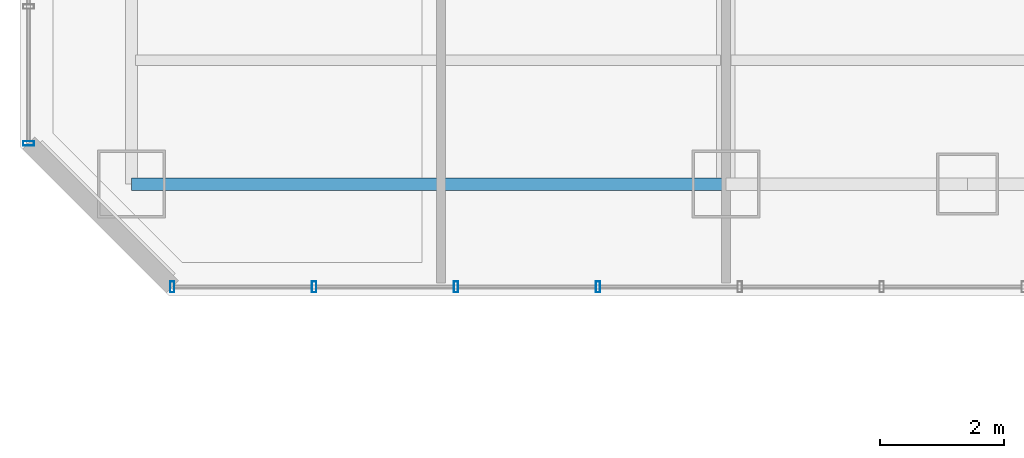
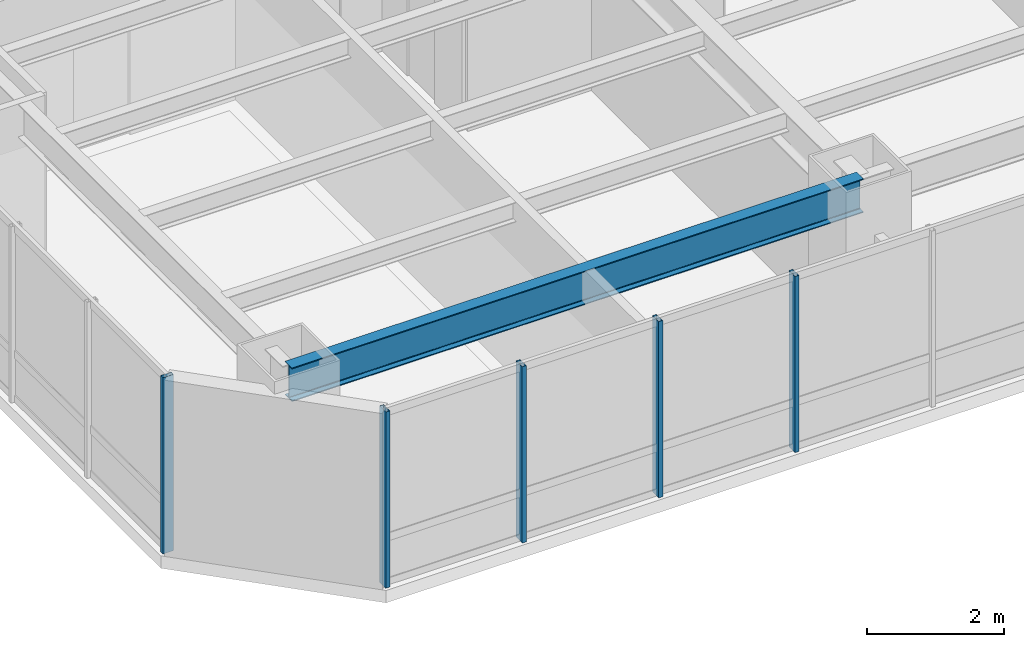
# One storey, part 2 of 38: 5 members, 1 beam, 2 elements without a shape of their own.
"""IFC4 building model written with IfcOpenShell, lengths in metres."""

from ifc_helpers import new_model, si_unit, direction, frame, origin, origin_2d, place, context, subcontext, project, spatial, hollow_rectangle, i_section, extrude, material, layer, layer_set, material_profile, profile_set, type_object, element, aggregate, save


model = new_model("IFC4")

# Units and contexts
model_context = context("Model", 3, precision=1e-05, world=origin(), true_north=direction((0.0, 1.0)))
body_context = subcontext(model_context, "Body", "Model", "MODEL_VIEW")
ifc_project = project(units=[si_unit("LENGTHUNIT", "METRE"), si_unit("AREAUNIT", "SQUARE_METRE"), si_unit("VOLUMEUNIT", "CUBIC_METRE"), si_unit("PLANEANGLEUNIT", "RADIAN"), si_unit("MASSUNIT", "GRAM", prefix="KILO")], contexts=[model_context])

# Site, building, storey
site_placement = place(None, origin())
site = spatial("IfcSite", under=ifc_project, at=site_placement, CompositionType="ELEMENT")
building_placement = place(site_placement, origin())
building = spatial("IfcBuilding", under=site, at=building_placement, Name="Hatsunagi Terrace Concourse", CompositionType="ELEMENT")
storey_placement = place(building_placement, frame((0.0, 0.0, 60.050048828125)))
storey = spatial("IfcBuildingStorey", under=building, at=storey_placement, Name="L15", CompositionType="ELEMENT", Elevation=60.050048828125)

# Curtain wall, members
ifc_material_1 = material(Name="Anodised Aluminium Alloy 6063-T5", Category="aluminium")
ifc_layer = layer(ifc_material_1, 0.199951171875)
ifc_layer_set = layer_set([ifc_layer], Name="HotelFacade_CW02")
curtain_wall_type = type_object("IfcCurtainWallType", Name="HotelFacade_CW02", PredefinedType="NOTDEFINED", material=ifc_layer_set)
curtain_wall_1_placement = place(storey_placement, origin())
curtain_wall_1 = element("IfcCurtainWall", 1, at=curtain_wall_1_placement, inside=storey, type_object=curtain_wall_type, Name="Unitised Curtain Wall CW-02 CW-L15-07", PredefinedType="NOTDEFINED")
ifc_material_2 = material(Name="Anodised Aluminium Alloy 6063-T5", Category="aluminium")
ifc_material_profile_1 = material_profile(ifc_material_2, hollow_rectangle(XDim=0.070068359375, YDim=0.179931640625, WallThickness=0.00390625, at=origin_2d()), Name="ALU-MUL-180x70x4")
ifc_profile_set_1 = profile_set([ifc_material_profile_1], Name="Anodised Aluminium Alloy 6063-T5")
member_type = type_object("IfcMemberType", Name="CurtainWallMullion_180x70", PredefinedType="MULLION", material=ifc_profile_set_1)
member_1_placement = place(storey_placement, frame((9.3330078125, 23.5400390625, 0.0), z_axis=(0.0, 0.0, 1.0), x_axis=(-1.0, 0.0, 0.0)))
member_1 = element("IfcMember", 2, at=member_1_placement, type_object=member_type, Name="Curtain Wall Mullion MUL-02", PredefinedType="MULLION", context=body_context, shape_type="SweptSolid", body=[
    extrude(hollow_rectangle(XDim=0.070068359375, YDim=0.179931640625, WallThickness=0.00390625, at=origin_2d()), origin(), (0.0, 0.0, 1.0), 3.1298828125),
])
member_2_placement = place(storey_placement, frame((7.041015625, 23.5400390625, 0.0), z_axis=(0.0, 0.0, 1.0), x_axis=(-1.0, 0.0, 0.0)))
member_2 = element("IfcMember", 3, at=member_2_placement, type_object=member_type, Name="Curtain Wall Mullion MUL-02", PredefinedType="MULLION", context=body_context, shape_type="SweptSolid", body=[
    extrude(hollow_rectangle(XDim=0.070068359375, YDim=0.179931640625, WallThickness=0.00390625, at=origin_2d()), origin(), (0.0, 0.0, 1.0), 3.1298828125),
])
member_3_placement = place(storey_placement, frame((4.75, 23.5400390625, 0.0), z_axis=(0.0, 0.0, 1.0), x_axis=(-1.0, 0.0, 0.0)))
member_3 = element("IfcMember", 4, at=member_3_placement, type_object=member_type, Name="Curtain Wall Mullion MUL-02", PredefinedType="MULLION", context=body_context, shape_type="SweptSolid", body=[
    extrude(hollow_rectangle(XDim=0.070068359375, YDim=0.179931640625, WallThickness=0.00390625, at=origin_2d()), origin(), (0.0, 0.0, 1.0), 3.1298828125),
])
member_4_placement = place(storey_placement, frame((2.4580078125, 23.5400390625, 0.0), z_axis=(0.0, 0.0, 1.0), x_axis=(-1.0, 0.0, 0.0)))
member_4 = element("IfcMember", 5, at=member_4_placement, type_object=member_type, Name="Curtain Wall Mullion MUL-02", PredefinedType="MULLION", context=body_context, shape_type="SweptSolid", body=[
    extrude(hollow_rectangle(XDim=0.070068359375, YDim=0.179931640625, WallThickness=0.00390625, at=origin_2d()), origin(), (0.0, 0.0, 1.0), 3.1298828125),
])
aggregate(curtain_wall_1, [member_1, member_2, member_3, member_4])

# Curtain wall, member
curtain_wall_2_placement = place(storey_placement, origin())
curtain_wall_2 = element("IfcCurtainWall", 6, at=curtain_wall_2_placement, inside=storey, type_object=curtain_wall_type, Name="Unitised Curtain Wall CW-02 CW-L15-09", PredefinedType="NOTDEFINED")
member_5_placement = place(storey_placement, frame((0.139892578125, 25.85791015625, 0.0), z_axis=(0.0, 0.0, 1.0), x_axis=(0.0, 1.0, 0.0)))
member_5 = element("IfcMember", 7, at=member_5_placement, type_object=member_type, Name="Curtain Wall Mullion MUL-02", PredefinedType="MULLION", context=body_context, shape_type="SweptSolid", body=[
    extrude(hollow_rectangle(XDim=0.070068359375, YDim=0.179931640625, WallThickness=0.00390625, at=origin_2d()), origin(), (0.0, 0.0, 1.0), 3.1298828125),
])
aggregate(curtain_wall_2, [member_5])

# Beam
ifc_material_3 = material(Name="Steel SN490B", Category="steel")
ifc_material_profile_2 = material_profile(ifc_material_3, i_section(OverallWidth=0.199951171875, OverallDepth=0.60009765625, WebThickness=0.010986328125, FlangeThickness=0.01708984375, FilletRadius=0.01806640625, at=origin_2d()), Name="H-600x200x11x17")
ifc_profile_set_2 = profile_set([ifc_material_profile_2], Name="Steel SN490B")
beam_type = type_object("IfcBeamType", Name="PerimeterSpandrel_H_600x200", PredefinedType="SPANDREL", material=ifc_profile_set_2)
beam_placement = place(storey_placement, frame((1.800048828125, 25.199951171875, 2.829833984375), z_axis=(1.0, 0.0, 0.0), x_axis=(0.0, 1.0, 0.0)))
element("IfcBeam", 8, at=beam_placement, inside=storey, type_object=beam_type, Name="Beam SP-01 BM-L15-WS-1", PredefinedType="SPANDREL", context=body_context, shape_type="SweptSolid", body=[
    extrude(i_section(OverallWidth=0.199951171875, OverallDepth=0.60009765625, WebThickness=0.010986328125, FlangeThickness=0.01708984375, FilletRadius=0.01806640625, at=origin_2d()), origin(), (0.0, 0.0, 1.0), 9.599853515625),
])

save(model, "model.ifc")
